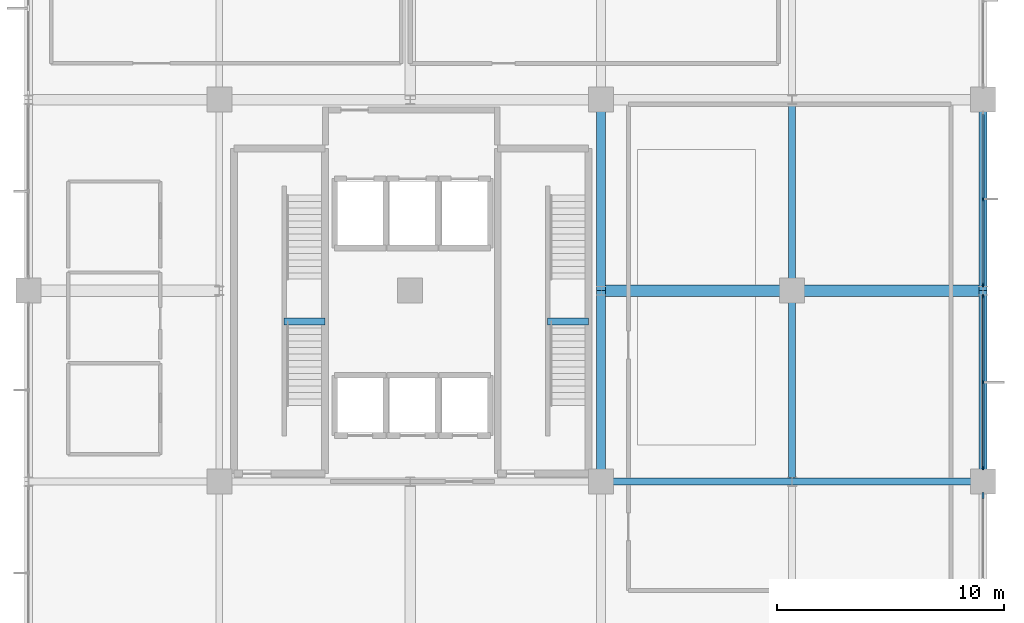
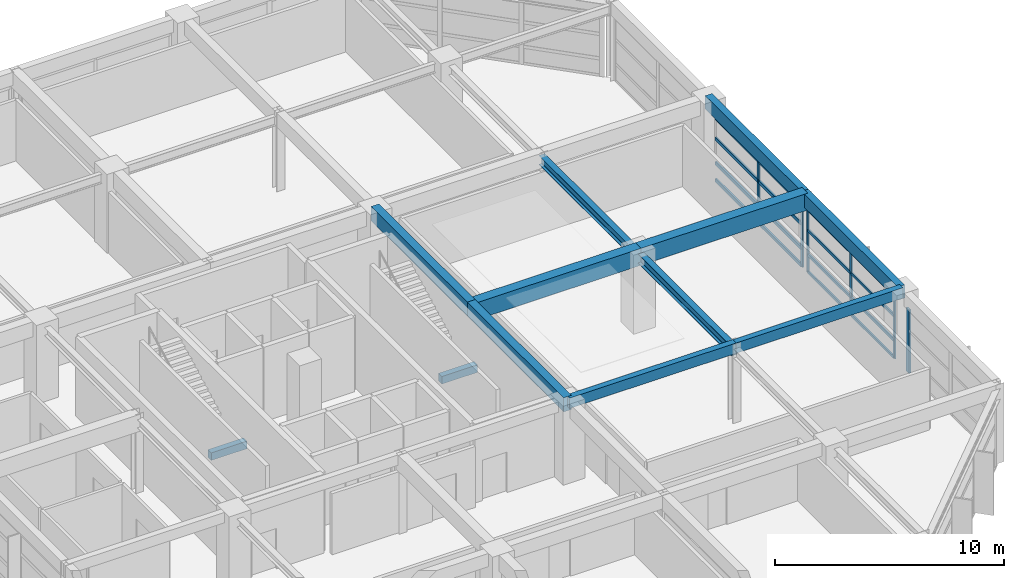
# One storey, part 8 of 18: 22 members, 12 beams, 3 elements without a shape of their own.
"""IFC4 building model written with IfcOpenShell, lengths in metres."""

from ifc_helpers import new_model, si_unit, direction, frame, origin, origin_2d, place, context, subcontext, project, spatial, rectangle, i_section, extrude, material, material_profile, profile_set, type_object, element, aggregate, save


model = new_model("IFC4")

# Units and contexts
model_context = context("Model", 3, precision=1e-05, world=origin(), true_north=direction((0.0, 1.0)))
body_context = subcontext(model_context, "Body", "Model", "MODEL_VIEW")
ifc_project = project(units=[si_unit("LENGTHUNIT", "METRE"), si_unit("AREAUNIT", "SQUARE_METRE"), si_unit("VOLUMEUNIT", "CUBIC_METRE"), si_unit("PLANEANGLEUNIT", "RADIAN"), si_unit("MASSUNIT", "GRAM", prefix="KILO")], contexts=[model_context])

# Site, building, storey
site_placement = place(None, origin())
site = spatial("IfcSite", under=ifc_project, at=site_placement, CompositionType="ELEMENT")
building_placement = place(site_placement, origin())
building = spatial("IfcBuilding", under=site, at=building_placement, Name="Xuanlan Plaza Opera House", CompositionType="ELEMENT")
storey_placement = place(building_placement, frame((0.0, 0.0, 32.10009765625)))
storey = spatial("IfcBuildingStorey", under=building, at=storey_placement, Name="L07", CompositionType="ELEMENT", Elevation=32.10009765625)

# Curtain wall, members
ifc_material_1 = material(Name="Anodised Aluminium 6063-T6 and Low-E Glass", Category="aluminium")
curtain_wall_type_1 = type_object("IfcCurtainWallType", Name="ENV-CW-CW-04", PredefinedType="USERDEFINED", material=ifc_material_1)
curtain_wall_1_placement = place(storey_placement, origin())
curtain_wall_1 = element("IfcCurtainWall", 1, at=curtain_wall_1_placement, inside=storey, type_object=curtain_wall_type_1, Name="Unitised Curtain Wall L07-007", ObjectType="UNITISED CURTAIN WALL", PredefinedType="USERDEFINED")
ifc_material_2 = material(Name="Anodised Aluminium 6063-T6", Category="aluminium")
ifc_material_profile_1 = material_profile(ifc_material_2, rectangle(XDim=0.06494140625, YDim=0.159912109375, at=origin_2d()), Name="ALU-M 65x160")
ifc_profile_set_1 = profile_set([ifc_material_profile_1], Name="Anodised Aluminium 6063-T6")
member_type_1 = type_object("IfcMemberType", Name="ENV-CWM-01", PredefinedType="MULLION", material=ifc_profile_set_1)
member_1_placement = place(storey_placement, frame((168.0, 51.00244140625, 0.0), z_axis=(0.0, 0.0, 1.0), x_axis=(-1.0, 0.0, 0.0)))
member_1 = element("IfcMember", 2, at=member_1_placement, type_object=member_type_1, Name="CW-04 mullion 1", PredefinedType="MULLION", context=body_context, shape_type="SweptSolid", body=[
    extrude(rectangle(XDim=0.06494140625, YDim=0.159912109375, at=origin_2d()), origin(), (0.0, 0.0, 1.0), 3.3798828125),
])
member_2_placement = place(storey_placement, frame((168.0, 54.77490234375, 0.0), z_axis=(0.0, 0.0, 1.0), x_axis=(-1.0, 0.0, 0.0)))
member_2 = element("IfcMember", 3, at=member_2_placement, type_object=member_type_1, Name="CW-04 mullion 2", PredefinedType="MULLION", context=body_context, shape_type="SweptSolid", body=[
    extrude(rectangle(XDim=0.06494140625, YDim=0.159912109375, at=origin_2d()), origin(), (0.0, 0.0, 1.0), 3.3798828125),
])
member_3_placement = place(storey_placement, frame((168.0, 58.547607421875, 0.0), z_axis=(0.0, 0.0, 1.0), x_axis=(-1.0, 0.0, 0.0)))
member_3 = element("IfcMember", 4, at=member_3_placement, type_object=member_type_1, Name="CW-04 mullion 3", PredefinedType="MULLION", context=body_context, shape_type="SweptSolid", body=[
    extrude(rectangle(XDim=0.06494140625, YDim=0.159912109375, at=origin_2d()), origin(), (0.0, 0.0, 1.0), 3.3798828125),
])

curtain_wall_type_2 = type_object("IfcCurtainWallType", Name="ENV-CW-CW-01", PredefinedType="USERDEFINED", material=ifc_material_1)
curtain_wall_2_placement = place(storey_placement, origin())
curtain_wall_2 = element("IfcCurtainWall", 5, at=curtain_wall_2_placement, inside=storey, type_object=curtain_wall_type_2, Name="Unitised Curtain Wall L07-008", ObjectType="UNITISED CURTAIN WALL", PredefinedType="USERDEFINED")
ifc_material_profile_2 = material_profile(ifc_material_2, rectangle(XDim=0.070068359375, YDim=0.179931640625, at=origin_2d()), Name="ALU-M 70x180")
ifc_profile_set_2 = profile_set([ifc_material_profile_2], Name="Anodised Aluminium 6063-T6")
member_type_2 = type_object("IfcMemberType", Name="ENV-CWM-02", PredefinedType="MULLION", material=ifc_profile_set_2)
member_4_placement = place(storey_placement, frame((168.0, 59.054931640625, 0.0), z_axis=(0.0, 0.0, 1.0), x_axis=(-1.0, 0.0, 0.0)))
member_4 = element("IfcMember", 6, at=member_4_placement, type_object=member_type_2, Name="CW-01 mullion 1", PredefinedType="MULLION", context=body_context, shape_type="SweptSolid", body=[
    extrude(rectangle(XDim=0.070068359375, YDim=0.179931640625, at=origin_2d()), origin(), (0.0, 0.0, 1.0), 3.3798828125),
])
member_5_placement = place(storey_placement, frame((168.0, 62.824951171875, 0.0), z_axis=(0.0, 0.0, 1.0), x_axis=(-1.0, 0.0, 0.0)))
member_5 = element("IfcMember", 7, at=member_5_placement, type_object=member_type_2, Name="CW-01 mullion 2", PredefinedType="MULLION", context=body_context, shape_type="SweptSolid", body=[
    extrude(rectangle(XDim=0.070068359375, YDim=0.179931640625, at=origin_2d()), origin(), (0.0, 0.0, 1.0), 3.3798828125),
])

# Curtain wall, member
curtain_wall_type_3 = type_object("IfcCurtainWallType", Name="ENV-CW-CW-03", PredefinedType="USERDEFINED", material=ifc_material_1)
curtain_wall_3_placement = place(storey_placement, origin())
curtain_wall_3 = element("IfcCurtainWall", 8, at=curtain_wall_3_placement, inside=storey, type_object=curtain_wall_type_3, Name="Unitised Curtain Wall L07-006", ObjectType="UNITISED CURTAIN WALL", PredefinedType="USERDEFINED")
ifc_material_profile_3 = material_profile(ifc_material_2, rectangle(XDim=0.090087890625, YDim=0.25, at=origin_2d()), Name="ALU-M 90x250")
ifc_profile_set_3 = profile_set([ifc_material_profile_3], Name="Anodised Aluminium 6063-T6")
member_type_3 = type_object("IfcMemberType", Name="ENV-CWM-05", PredefinedType="MULLION", material=ifc_profile_set_3)
member_6_placement = place(storey_placement, frame((168.0, 49.784912109375, 0.0), z_axis=(0.0, 0.0, 1.0), x_axis=(-1.0, 0.0, 0.0)))
member_6 = element("IfcMember", 9, at=member_6_placement, type_object=member_type_3, Name="CW-03 mullion 3", PredefinedType="MULLION", context=body_context, shape_type="SweptSolid", body=[
    extrude(rectangle(XDim=0.090087890625, YDim=0.25, at=origin_2d()), origin(), (0.0, 0.0, 1.0), 3.3798828125),
])
aggregate(curtain_wall_3, [member_6])

# Member
ifc_material_profile_4 = material_profile(ifc_material_2, rectangle(XDim=0.074951171875, YDim=0.14990234375, at=origin_2d()), Name="ALU-T 75x150")
ifc_profile_set_4 = profile_set([ifc_material_profile_4], Name="Anodised Aluminium 6063-T6")
member_type_4 = type_object("IfcMemberType", Name="ENV-CWT-03", PredefinedType="USERDEFINED", material=ifc_profile_set_4)
member_7_placement = place(storey_placement, frame((168.0, 51.034912109375, 0.037353515625), z_axis=(0.0, 1.0, 0.0), x_axis=(-1.0, 0.0, 0.0)))
member_7 = element("IfcMember", 10, at=member_7_placement, type_object=member_type_4, Name="CW-04 transom 1.1", ObjectType="TRANSOM", PredefinedType="USERDEFINED", context=body_context, shape_type="SweptSolid", body=[
    extrude(rectangle(XDim=0.074951171875, YDim=0.14990234375, at=origin_2d()), origin(), (0.0, 0.0, 1.0), 3.70751953125),
])

member_8_placement = place(storey_placement, frame((168.0, 51.034912109375, 0.949951171875), z_axis=(0.0, 1.0, 0.0), x_axis=(-1.0, 0.0, 0.0)))
member_8 = element("IfcMember", 11, at=member_8_placement, type_object=member_type_4, Name="CW-04 transom 1.2", ObjectType="TRANSOM", PredefinedType="USERDEFINED", context=body_context, shape_type="SweptSolid", body=[
    extrude(rectangle(XDim=0.074951171875, YDim=0.14990234375, at=origin_2d()), origin(), (0.0, 0.0, 1.0), 3.70751953125),
])

member_9_placement = place(storey_placement, frame((168.0, 51.034912109375, 2.25), z_axis=(0.0, 1.0, 0.0), x_axis=(-1.0, 0.0, 0.0)))
member_9 = element("IfcMember", 12, at=member_9_placement, type_object=member_type_4, Name="CW-04 transom 1.3", ObjectType="TRANSOM", PredefinedType="USERDEFINED", context=body_context, shape_type="SweptSolid", body=[
    extrude(rectangle(XDim=0.074951171875, YDim=0.14990234375, at=origin_2d()), origin(), (0.0, 0.0, 1.0), 3.70751953125),
])

member_10_placement = place(storey_placement, frame((168.0, 51.034912109375, 3.34228515625), z_axis=(0.0, 1.0, 0.0), x_axis=(-1.0, 0.0, 0.0)))
member_10 = element("IfcMember", 13, at=member_10_placement, type_object=member_type_4, Name="CW-04 transom 1.4", ObjectType="TRANSOM", PredefinedType="USERDEFINED", context=body_context, shape_type="SweptSolid", body=[
    extrude(rectangle(XDim=0.074951171875, YDim=0.14990234375, at=origin_2d()), origin(), (0.0, 0.0, 1.0), 3.70751953125),
])

member_11_placement = place(storey_placement, frame((168.0, 54.8076171875, 0.037353515625), z_axis=(0.0, 1.0, 0.0), x_axis=(-1.0, 0.0, 0.0)))
member_11 = element("IfcMember", 14, at=member_11_placement, type_object=member_type_4, Name="CW-04 transom 2.1", ObjectType="TRANSOM", PredefinedType="USERDEFINED", context=body_context, shape_type="SweptSolid", body=[
    extrude(rectangle(XDim=0.074951171875, YDim=0.14990234375, at=origin_2d()), origin(), (0.0, 0.0, 1.0), 3.707275390625),
])

member_12_placement = place(storey_placement, frame((168.0, 54.8076171875, 0.949951171875), z_axis=(0.0, 1.0, 0.0), x_axis=(-1.0, 0.0, 0.0)))
member_12 = element("IfcMember", 15, at=member_12_placement, type_object=member_type_4, Name="CW-04 transom 2.2", ObjectType="TRANSOM", PredefinedType="USERDEFINED", context=body_context, shape_type="SweptSolid", body=[
    extrude(rectangle(XDim=0.074951171875, YDim=0.14990234375, at=origin_2d()), origin(), (0.0, 0.0, 1.0), 3.707275390625),
])

member_13_placement = place(storey_placement, frame((168.0, 54.8076171875, 2.25), z_axis=(0.0, 1.0, 0.0), x_axis=(-1.0, 0.0, 0.0)))
member_13 = element("IfcMember", 16, at=member_13_placement, type_object=member_type_4, Name="CW-04 transom 2.3", ObjectType="TRANSOM", PredefinedType="USERDEFINED", context=body_context, shape_type="SweptSolid", body=[
    extrude(rectangle(XDim=0.074951171875, YDim=0.14990234375, at=origin_2d()), origin(), (0.0, 0.0, 1.0), 3.707275390625),
])

member_14_placement = place(storey_placement, frame((168.0, 54.8076171875, 3.34228515625), z_axis=(0.0, 1.0, 0.0), x_axis=(-1.0, 0.0, 0.0)))
member_14 = element("IfcMember", 17, at=member_14_placement, type_object=member_type_4, Name="CW-04 transom 2.4", ObjectType="TRANSOM", PredefinedType="USERDEFINED", context=body_context, shape_type="SweptSolid", body=[
    extrude(rectangle(XDim=0.074951171875, YDim=0.14990234375, at=origin_2d()), origin(), (0.0, 0.0, 1.0), 3.707275390625),
])

aggregate(curtain_wall_1, [member_1, member_2, member_3, member_7, member_8, member_9, member_10, member_11, member_12, member_13, member_14])

ifc_material_profile_5 = material_profile(ifc_material_2, rectangle(XDim=0.090087890625, YDim=0.179931640625, at=origin_2d()), Name="ALU-T 90x180")
ifc_profile_set_5 = profile_set([ifc_material_profile_5], Name="Anodised Aluminium 6063-T6")
member_type_5 = type_object("IfcMemberType", Name="ENV-CWT-05", PredefinedType="USERDEFINED", material=ifc_profile_set_5)
member_15_placement = place(storey_placement, frame((168.0, 59.090087890625, 0.044921875), z_axis=(0.0, 1.0, 0.0), x_axis=(-1.0, 0.0, 0.0)))
member_15 = element("IfcMember", 18, at=member_15_placement, type_object=member_type_5, Name="CW-01 transom 1.1", ObjectType="TRANSOM", PredefinedType="USERDEFINED", context=body_context, shape_type="SweptSolid", body=[
    extrude(rectangle(XDim=0.090087890625, YDim=0.179931640625, at=origin_2d()), origin(), (0.0, 0.0, 1.0), 3.699951171875),
])

member_16_placement = place(storey_placement, frame((168.0, 59.090087890625, 0.949951171875), z_axis=(0.0, 1.0, 0.0), x_axis=(-1.0, 0.0, 0.0)))
member_16 = element("IfcMember", 19, at=member_16_placement, type_object=member_type_5, Name="CW-01 transom 1.2", ObjectType="TRANSOM", PredefinedType="USERDEFINED", context=body_context, shape_type="SweptSolid", body=[
    extrude(rectangle(XDim=0.090087890625, YDim=0.179931640625, at=origin_2d()), origin(), (0.0, 0.0, 1.0), 3.699951171875),
])

member_17_placement = place(storey_placement, frame((168.0, 59.090087890625, 2.25), z_axis=(0.0, 1.0, 0.0), x_axis=(-1.0, 0.0, 0.0)))
member_17 = element("IfcMember", 20, at=member_17_placement, type_object=member_type_5, Name="CW-01 transom 1.3", ObjectType="TRANSOM", PredefinedType="USERDEFINED", context=body_context, shape_type="SweptSolid", body=[
    extrude(rectangle(XDim=0.090087890625, YDim=0.179931640625, at=origin_2d()), origin(), (0.0, 0.0, 1.0), 3.699951171875),
])

member_18_placement = place(storey_placement, frame((168.0, 59.090087890625, 3.3349609375), z_axis=(0.0, 1.0, 0.0), x_axis=(-1.0, 0.0, 0.0)))
member_18 = element("IfcMember", 21, at=member_18_placement, type_object=member_type_5, Name="CW-01 transom 1.4", ObjectType="TRANSOM", PredefinedType="USERDEFINED", context=body_context, shape_type="SweptSolid", body=[
    extrude(rectangle(XDim=0.090087890625, YDim=0.179931640625, at=origin_2d()), origin(), (0.0, 0.0, 1.0), 3.699951171875),
])

member_19_placement = place(storey_placement, frame((168.0, 62.860107421875, 0.044921875), z_axis=(0.0, 1.0, 0.0), x_axis=(-1.0, 0.0, 0.0)))
member_19 = element("IfcMember", 22, at=member_19_placement, type_object=member_type_5, Name="CW-01 transom 2.1", ObjectType="TRANSOM", PredefinedType="USERDEFINED", context=body_context, shape_type="SweptSolid", body=[
    extrude(rectangle(XDim=0.090087890625, YDim=0.179931640625, at=origin_2d()), origin(), (0.0, 0.0, 1.0), 3.699951171875),
])

member_20_placement = place(storey_placement, frame((168.0, 62.860107421875, 0.949951171875), z_axis=(0.0, 1.0, 0.0), x_axis=(-1.0, 0.0, 0.0)))
member_20 = element("IfcMember", 23, at=member_20_placement, type_object=member_type_5, Name="CW-01 transom 2.2", ObjectType="TRANSOM", PredefinedType="USERDEFINED", context=body_context, shape_type="SweptSolid", body=[
    extrude(rectangle(XDim=0.090087890625, YDim=0.179931640625, at=origin_2d()), origin(), (0.0, 0.0, 1.0), 3.699951171875),
])

member_21_placement = place(storey_placement, frame((168.0, 62.860107421875, 2.25), z_axis=(0.0, 1.0, 0.0), x_axis=(-1.0, 0.0, 0.0)))
member_21 = element("IfcMember", 24, at=member_21_placement, type_object=member_type_5, Name="CW-01 transom 2.3", ObjectType="TRANSOM", PredefinedType="USERDEFINED", context=body_context, shape_type="SweptSolid", body=[
    extrude(rectangle(XDim=0.090087890625, YDim=0.179931640625, at=origin_2d()), origin(), (0.0, 0.0, 1.0), 3.699951171875),
])

member_22_placement = place(storey_placement, frame((168.0, 62.860107421875, 3.3349609375), z_axis=(0.0, 1.0, 0.0), x_axis=(-1.0, 0.0, 0.0)))
member_22 = element("IfcMember", 25, at=member_22_placement, type_object=member_type_5, Name="CW-01 transom 2.4", ObjectType="TRANSOM", PredefinedType="USERDEFINED", context=body_context, shape_type="SweptSolid", body=[
    extrude(rectangle(XDim=0.090087890625, YDim=0.179931640625, at=origin_2d()), origin(), (0.0, 0.0, 1.0), 3.699951171875),
])

aggregate(curtain_wall_2, [member_4, member_5, member_15, member_16, member_17, member_18, member_19, member_20, member_21, member_22])

# Beams
ifc_material_3 = material(Name="Concrete C40", Category="concrete")
ifc_material_profile_6 = material_profile(ifc_material_3, rectangle(XDim=0.5, YDim=0.89990234375, at=origin_2d()), Name="RC-BM 500x900")
ifc_profile_set_6 = profile_set([ifc_material_profile_6], Name="Concrete C40")
beam_type_1 = type_object("IfcBeamType", Name="STR-BM-B-03", PredefinedType="BEAM", material=ifc_profile_set_6)
beam_1_placement = place(storey_placement, frame((151.199951171875, 58.800048828125, 3.75), z_axis=(1.0, 0.0, 0.0), x_axis=(0.0, 1.0, 0.0)))
element("IfcBeam", 26, at=beam_1_placement, inside=storey, type_object=beam_type_1, Name="Grid Beam X L07 19-20/H", PredefinedType="BEAM", context=body_context, shape_type="SweptSolid", body=[
    extrude(rectangle(XDim=0.5, YDim=0.89990234375, at=origin_2d()), origin(), (0.0, 0.0, 1.0), 8.400146484375),
])
beam_2_placement = place(storey_placement, frame((159.60009765625, 58.800048828125, 3.75), z_axis=(1.0, 0.0, 0.0), x_axis=(0.0, 1.0, 0.0)))
element("IfcBeam", 27, at=beam_2_placement, inside=storey, type_object=beam_type_1, Name="Grid Beam X L07 20-21/H", PredefinedType="BEAM", context=body_context, shape_type="SweptSolid", body=[
    extrude(rectangle(XDim=0.5, YDim=0.89990234375, at=origin_2d()), origin(), (0.0, 0.0, 1.0), 8.39990234375),
])
ifc_material_profile_7 = material_profile(ifc_material_3, rectangle(XDim=0.39990234375, YDim=0.75, at=origin_2d()), Name="RC-BM 400x750")
ifc_profile_set_7 = profile_set([ifc_material_profile_7], Name="Concrete C40")
beam_type_2 = type_object("IfcBeamType", Name="STR-BM-B-06", PredefinedType="BEAM", material=ifc_profile_set_7)
beam_3_placement = place(storey_placement, frame((151.199951171875, 50.39990234375, 3.824951171875), z_axis=(0.0, 1.0, 0.0), x_axis=(-1.0, 0.0, 0.0)))
element("IfcBeam", 28, at=beam_3_placement, inside=storey, type_object=beam_type_2, Name="Grid Beam Y L07 19/G-H", PredefinedType="BEAM", context=body_context, shape_type="SweptSolid", body=[
    extrude(rectangle(XDim=0.39990234375, YDim=0.75, at=origin_2d()), origin(), (0.0, 0.0, 1.0), 8.400146484375),
])
beam_4_placement = place(storey_placement, frame((151.199951171875, 58.800048828125, 3.824951171875), z_axis=(0.0, 1.0, 0.0), x_axis=(-1.0, 0.0, 0.0)))
element("IfcBeam", 29, at=beam_4_placement, inside=storey, type_object=beam_type_2, Name="Grid Beam Y L07 19/H-I", PredefinedType="BEAM", context=body_context, shape_type="SweptSolid", body=[
    extrude(rectangle(XDim=0.39990234375, YDim=0.75, at=origin_2d()), origin(), (0.0, 0.0, 1.0), 8.39990234375),
])
ifc_material_profile_8 = material_profile(ifc_material_3, rectangle(XDim=0.300048828125, YDim=0.550048828125, at=origin_2d()), Name="RC-BM 300x550")
ifc_profile_set_8 = profile_set([ifc_material_profile_8], Name="Concrete C40")
beam_type_3 = type_object("IfcBeamType", Name="STR-BM-B-09", PredefinedType="BEAM", material=ifc_profile_set_8)
beam_5_placement = place(storey_placement, frame((151.199951171875, 50.39990234375, 3.9248046875), z_axis=(1.0, 0.0, 0.0), x_axis=(0.0, 1.0, 0.0)))
element("IfcBeam", 30, at=beam_5_placement, inside=storey, type_object=beam_type_3, Name="Grid Beam X L07 19-20/G", PredefinedType="BEAM", context=body_context, shape_type="SweptSolid", body=[
    extrude(rectangle(XDim=0.300048828125, YDim=0.550048828125, at=origin_2d()), origin(), (0.0, 0.0, 1.0), 8.400146484375),
])
beam_6_placement = place(storey_placement, frame((159.60009765625, 50.39990234375, 3.9248046875), z_axis=(1.0, 0.0, 0.0), x_axis=(0.0, 1.0, 0.0)))
element("IfcBeam", 31, at=beam_6_placement, inside=storey, type_object=beam_type_3, Name="Grid Beam X L07 20-21/G", PredefinedType="BEAM", context=body_context, shape_type="SweptSolid", body=[
    extrude(rectangle(XDim=0.300048828125, YDim=0.550048828125, at=origin_2d()), origin(), (0.0, 0.0, 1.0), 8.39990234375),
])
ifc_material_profile_9 = material_profile(ifc_material_3, rectangle(XDim=0.300048828125, YDim=0.39990234375, at=origin_2d()), Name="RC-LNT 300x400")
ifc_profile_set_9 = profile_set([ifc_material_profile_9], Name="Concrete C40")
beam_type_4 = type_object("IfcBeamType", Name="STR-BM-LN-01", PredefinedType="LINTEL", material=ifc_profile_set_9)
beam_7_placement = place(storey_placement, frame((137.25, 57.445068359375, 1.699951171875), z_axis=(1.0, 0.0, 0.0), x_axis=(0.0, 1.0, 0.0)))
element("IfcBeam", 32, at=beam_7_placement, inside=storey, type_object=beam_type_4, Name="Stair Mid-Landing Trimmer Beam ST-T1 L07", PredefinedType="LINTEL", context=body_context, shape_type="SweptSolid", body=[
    extrude(rectangle(XDim=0.300048828125, YDim=0.39990234375, at=origin_2d()), origin(), (0.0, 0.0, 1.0), 1.800048828125),
])
beam_8_placement = place(storey_placement, frame((148.85009765625, 57.445068359375, 1.699951171875), z_axis=(1.0, 0.0, 0.0), x_axis=(0.0, 1.0, 0.0)))
element("IfcBeam", 33, at=beam_8_placement, inside=storey, type_object=beam_type_4, Name="Stair Mid-Landing Trimmer Beam ST-T2 L07", PredefinedType="LINTEL", context=body_context, shape_type="SweptSolid", body=[
    extrude(rectangle(XDim=0.300048828125, YDim=0.39990234375, at=origin_2d()), origin(), (0.0, 0.0, 1.0), 1.7998046875),
])
ifc_material_4 = material(Name="Steel Q355B", Category="steel")
ifc_material_profile_10 = material_profile(ifc_material_4, i_section(OverallWidth=0.300048828125, OverallDepth=0.488037109375, WebThickness=0.010986328125, FlangeThickness=0.01806640625, FilletRadius=0.02197265625, at=origin_2d()), Name="HM 488x300x11x18")
ifc_profile_set_10 = profile_set([ifc_material_profile_10], Name="Steel Q355B")
beam_type_5 = type_object("IfcBeamType", Name="STR-BM-SB-07", PredefinedType="BEAM", material=ifc_profile_set_10)
beam_9_placement = place(storey_placement, frame((159.60009765625, 50.39990234375, 3.7109375), z_axis=(0.0, 1.0, 0.0), x_axis=(-1.0, 0.0, 0.0)))
element("IfcBeam", 34, at=beam_9_placement, inside=storey, type_object=beam_type_5, Name="Grid Beam Y L07 20/G-H", PredefinedType="BEAM", context=body_context, shape_type="SweptSolid", body=[
    extrude(i_section(OverallWidth=0.300048828125, OverallDepth=0.488037109375, WebThickness=0.010986328125, FlangeThickness=0.01806640625, FilletRadius=0.02197265625, at=origin_2d()), origin(), (0.0, 0.0, 1.0), 8.400146484375),
])
beam_10_placement = place(storey_placement, frame((159.60009765625, 58.800048828125, 3.7109375), z_axis=(0.0, 1.0, 0.0), x_axis=(-1.0, 0.0, 0.0)))
element("IfcBeam", 35, at=beam_10_placement, inside=storey, type_object=beam_type_5, Name="Grid Beam Y L07 20/H-I", PredefinedType="BEAM", context=body_context, shape_type="SweptSolid", body=[
    extrude(i_section(OverallWidth=0.300048828125, OverallDepth=0.488037109375, WebThickness=0.010986328125, FlangeThickness=0.01806640625, FilletRadius=0.02197265625, at=origin_2d()), origin(), (0.0, 0.0, 1.0), 8.39990234375),
])
ifc_material_profile_11 = material_profile(ifc_material_3, rectangle(XDim=0.35009765625, YDim=0.699951171875, at=origin_2d()), Name="RC-SPD 350x700")
ifc_profile_set_11 = profile_set([ifc_material_profile_11], Name="Concrete C40")
beam_type_6 = type_object("IfcBeamType", Name="STR-BM-SP-02", PredefinedType="SPANDREL", material=ifc_profile_set_11)
beam_11_placement = place(storey_placement, frame((168.0, 50.39990234375, 3.849853515625), z_axis=(0.0, 1.0, 0.0), x_axis=(-1.0, 0.0, 0.0)))
element("IfcBeam", 36, at=beam_11_placement, inside=storey, type_object=beam_type_6, Name="Grid Beam Y L07 21/G-H", PredefinedType="SPANDREL", context=body_context, shape_type="SweptSolid", body=[
    extrude(rectangle(XDim=0.35009765625, YDim=0.699951171875, at=origin_2d()), origin(), (0.0, 0.0, 1.0), 8.400146484375),
])
beam_12_placement = place(storey_placement, frame((168.0, 58.800048828125, 3.849853515625), z_axis=(0.0, 1.0, 0.0), x_axis=(-1.0, 0.0, 0.0)))
element("IfcBeam", 37, at=beam_12_placement, inside=storey, type_object=beam_type_6, Name="Grid Beam Y L07 21/H-I", PredefinedType="SPANDREL", context=body_context, shape_type="SweptSolid", body=[
    extrude(rectangle(XDim=0.35009765625, YDim=0.699951171875, at=origin_2d()), origin(), (0.0, 0.0, 1.0), 8.39990234375),
])

save(model, "model.ifc")
